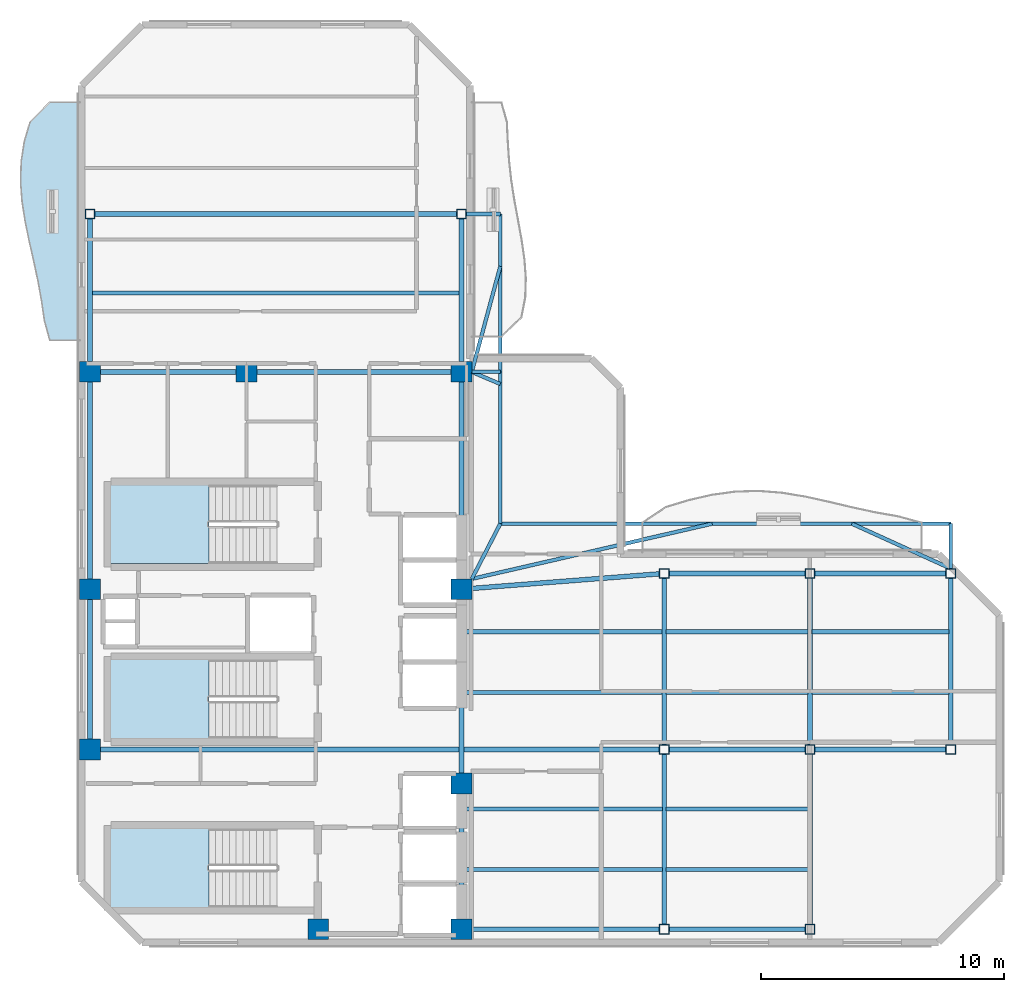
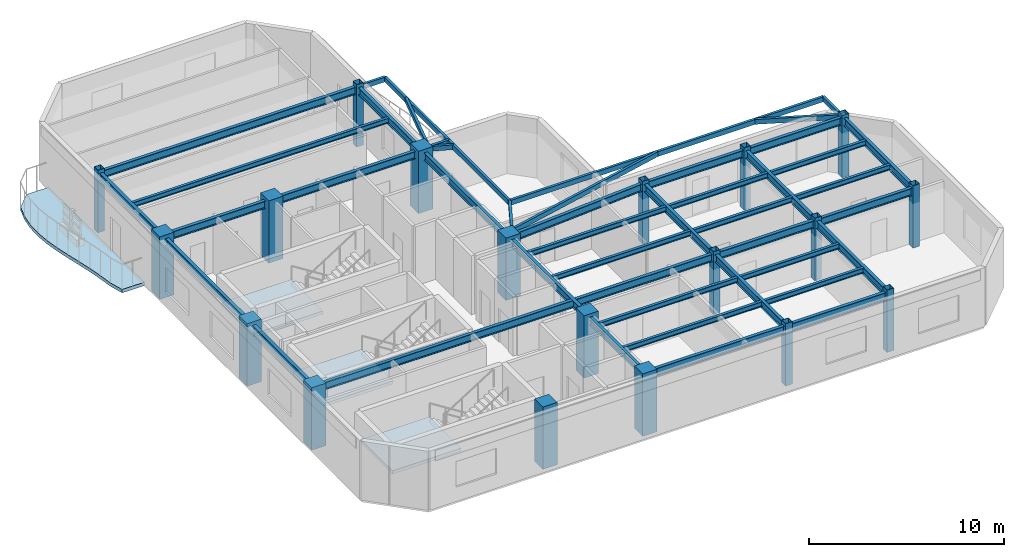
# One storey, part 1 of 8: 45 beams, 19 columns, 4 slabs, 3 elements without a shape of their own.
"""IFC4 building model written with IfcOpenShell, lengths in metres."""

from ifc_helpers import new_model, si_unit, direction, frame, origin, origin_2d, place, context, subcontext, project, spatial, polyline, rectangle, hollow_rectangle, i_section, outline, extrude, material, layer, layer_set, material_profile, profile_set, type_object, element, aggregate, save


model = new_model("IFC4")

# Units and contexts
model_context = context("Model", 3, precision=1e-05, world=origin(), true_north=direction((0.0, 1.0)))
body_context = subcontext(model_context, "Body", "Model", "MODEL_VIEW")
ifc_project = project(units=[si_unit("LENGTHUNIT", "METRE"), si_unit("AREAUNIT", "SQUARE_METRE"), si_unit("VOLUMEUNIT", "CUBIC_METRE"), si_unit("PLANEANGLEUNIT", "RADIAN"), si_unit("MASSUNIT", "GRAM", prefix="KILO")], contexts=[model_context])

# Site, building, storey
site_placement = place(None, origin())
site = spatial("IfcSite", under=ifc_project, at=site_placement, CompositionType="ELEMENT")
building_placement = place(site_placement, origin())
building = spatial("IfcBuilding", under=site, at=building_placement, Name="Mawjaban Terraces University", CompositionType="ELEMENT")
storey_placement = place(building_placement, frame((0.0, 0.0, 263.800048828125)))
storey = spatial("IfcBuildingStorey", under=building, at=storey_placement, Name="L64", CompositionType="ELEMENT", Elevation=263.800048828125)

# Columns
ifc_material_1 = material(Name="Concrete C50/60", Category="concrete")
ifc_material_profile_1 = material_profile(ifc_material_1, rectangle(XDim=0.85009765625, YDim=0.85009765625, at=origin_2d()), Name="RC850X850")
ifc_profile_set_1 = profile_set([ifc_material_profile_1], Name="Concrete C50/60")
column_type_1 = type_object("IfcColumnType", Name="Col_RC850X850", PredefinedType="COLUMN", material=ifc_profile_set_1)
for number, where, z_axis, x_axis, name in (
    (1, (31.75, 0.550048828125, 0.0), (0.0, 0.0, 1.0), (1.0, 0.0, 0.0), "L64 Column CC2"),
    (2, (37.64990234375, 0.550048828125, 0.0), (0.0, 0.0, 1.0), (1.0, 0.0, 0.0), "L64 Column CC3"),
    (3, (22.35009765625, 7.949951171875, 0.0), (0.0, 0.0, 1.0), (1.0, 0.0, 0.0), "L64 Column CC4"),
    (4, (37.64990234375, 6.550048828125, 0.0), (0.0, 0.0, 1.0), (1.0, 0.0, 0.0), "L64 Column CC5"),
    (5, (22.35009765625, 14.550048828125, 0.0), (0.0, 0.0, 1.0), (1.0, 0.0, 0.0), "L64 Column CC6"),
    (6, (37.64990234375, 14.550048828125, 0.0), (0.0, 0.0, 1.0), (1.0, 0.0, 0.0), "L64 Column CC7"),
    (7, (22.35009765625, 23.5, 0.0), (0.0, 0.0, 1.0), (1.0, 0.0, 0.0), "L64 Column CC8"),
    (8, (28.800048828125, 23.5, 0.0), (0.0, 0.0, 1.0), (1.0, 0.0, 0.0), "L64 Column CC9"),
    (9, (37.64990234375, 23.5, 0.0), (0.0, 0.0, 1.0), (1.0, 0.0, 0.0), "L64 Column CC10"),
):
    element("IfcColumn", number, at=place(storey_placement, frame(where, z_axis=z_axis, x_axis=x_axis)), inside=storey, type_object=column_type_1, Name=name, PredefinedType="COLUMN", context=body_context, shape_type="SweptSolid", body=[
        extrude(rectangle(XDim=0.85009765625, YDim=0.85009765625, at=origin_2d()), origin(), (0.0, 0.0, 1.0), 3.89990234375),
    ])
ifc_material_2 = material(Name="Steel EN 10210-1 S355J2H", Category="steel")
ifc_material_profile_2 = material_profile(ifc_material_2, hollow_rectangle(XDim=0.39990234375, YDim=0.39990234375, WallThickness=0.02001953125, at=origin_2d()), Name="SHS400X400X20")
ifc_profile_set_2 = profile_set([ifc_material_profile_2], Name="Steel EN 10210-1 S355J2H")
column_type_2 = type_object("IfcColumnType", Name="Col_SHS400X400X20", PredefinedType="COLUMN", material=ifc_profile_set_2)
for number, where, z_axis, x_axis, name in (
    (10, (46.0, 0.550048828125, 0.0), (0.0, 0.0, 1.0), (1.0, 0.0, 0.0), "L64 Column TE-460-005"),
    (11, (46.0, 7.949951171875, 0.0), (0.0, 0.0, 1.0), (1.0, 0.0, 0.0), "L64 Column TE-460-080"),
    (12, (46.0, 15.199951171875, 0.0), (0.0, 0.0, 1.0), (1.0, 0.0, 0.0), "L64 Column TE-460-152"),
    (13, (52.0, 0.550048828125, 0.0), (0.0, 0.0, 1.0), (1.0, 0.0, 0.0), "L64 Column TE-520-005"),
    (14, (52.0, 7.949951171875, 0.0), (0.0, 0.0, 1.0), (1.0, 0.0, 0.0), "L64 Column TE-520-080"),
    (15, (52.0, 15.199951171875, 0.0), (0.0, 0.0, 1.0), (1.0, 0.0, 0.0), "L64 Column TE-520-152"),
    (16, (57.800048828125, 7.949951171875, 0.0), (0.0, 0.0, 1.0), (1.0, 0.0, 0.0), "L64 Column TE-578-080"),
    (17, (57.800048828125, 15.199951171875, 0.0), (0.0, 0.0, 1.0), (1.0, 0.0, 0.0), "L64 Column TE-578-152"),
    (18, (22.35009765625, 30.0, 0.0), (0.0, 0.0, 1.0), (1.0, 0.0, 0.0), "L64 Column TN-223-300"),
    (19, (37.64990234375, 30.0, 0.0), (0.0, 0.0, 1.0), (1.0, 0.0, 0.0), "L64 Column TN-376-300"),
):
    element("IfcColumn", number, at=place(storey_placement, frame(where, z_axis=z_axis, x_axis=x_axis)), inside=storey, type_object=column_type_2, Name=name, PredefinedType="COLUMN", context=body_context, shape_type="SweptSolid", body=[
        extrude(hollow_rectangle(XDim=0.39990234375, YDim=0.39990234375, WallThickness=0.02001953125, at=origin_2d()), origin(), (0.0, 0.0, 1.0), 3.89990234375),
    ])

# Beams
ifc_material_profile_3 = material_profile(ifc_material_2, hollow_rectangle(XDim=0.14990234375, YDim=0.300048828125, WallThickness=0.012451171875, at=origin_2d()), Name="RHS300X150X12.5")
ifc_profile_set_3 = profile_set([ifc_material_profile_3], Name="Steel EN 10210-1 S355J2H")
beam_type_1 = type_object("IfcBeamType", Name="BalconyCantileverSpandrel_RHS", PredefinedType="SPANDREL", material=ifc_profile_set_3)
beam_1_placement = place(storey_placement, frame((38.074951171875, 14.97509765625, 3.5400390625), z_axis=(0.458922210771, 0.88847645127, 0.0), x_axis=(-0.88847645127, 0.458922210771, 0.0)))
element("IfcBeam", 20, at=beam_1_placement, inside=storey, type_object=beam_type_1, Name="L64 Corner Outrigger BAL-L65-N", PredefinedType="SPANDREL", context=body_context, shape_type="SweptSolid", body=[
    extrude(hollow_rectangle(XDim=0.14990234375, YDim=0.300048828125, WallThickness=0.012451171875, at=origin_2d()), origin(), (0.0, 0.0, 1.0), 2.560546875),
])
beam_2_placement = place(storey_placement, frame((57.800048828125, 15.39990234375, 3.5400390625), z_axis=(0.0, 1.0, 0.0), x_axis=(-1.0, 0.0, 0.0)))
element("IfcBeam", 21, at=beam_2_placement, inside=storey, type_object=beam_type_1, Name="L64 Exterior Outrigger BAL-L65-N.2", PredefinedType="SPANDREL", context=body_context, shape_type="SweptSolid", body=[
    extrude(hollow_rectangle(XDim=0.14990234375, YDim=0.300048828125, WallThickness=0.012451171875, at=origin_2d()), origin(), (0.0, 0.0, 1.0), 1.85009765625),
])
beam_3_placement = place(storey_placement, frame((39.25, 17.25, 3.5400390625), z_axis=(1.0, 0.0, 0.0), x_axis=(0.0, 1.0, 0.0)))
element("IfcBeam", 22, at=beam_3_placement, inside=storey, type_object=beam_type_1, Name="L64 Exterior Edge Spandrel BAL-L65-N", PredefinedType="SPANDREL", context=body_context, shape_type="SweptSolid", body=[
    extrude(hollow_rectangle(XDim=0.14990234375, YDim=0.300048828125, WallThickness=0.012451171875, at=origin_2d()), origin(), (0.0, 0.0, 1.0), 18.550048828125),
])
beam_4_placement = place(storey_placement, frame((38.074951171875, 14.97509765625, 3.5400390625), z_axis=(0.974600999447, 0.223948413426, 0.0), x_axis=(-0.223948413426, 0.974600999447, 0.0)))
element("IfcBeam", 23, at=beam_4_placement, inside=storey, type_object=beam_type_1, Name="L64 Exterior Diagonal Strut BAL-L65-N.1", PredefinedType="SPANDREL", context=body_context, shape_type="SweptSolid", body=[
    extrude(hollow_rectangle(XDim=0.14990234375, YDim=0.300048828125, WallThickness=0.012451171875, at=origin_2d()), origin(), (0.0, 0.0, 1.0), 10.158203125),
])
beam_5_placement = place(storey_placement, frame((57.800048828125, 15.39990234375, 3.5400390625), z_axis=(-0.910547611438, 0.413404217811, 0.0), x_axis=(-0.413404217811, -0.910547611438, 0.0)))
element("IfcBeam", 24, at=beam_5_placement, inside=storey, type_object=beam_type_1, Name="L64 Exterior Diagonal Strut BAL-L65-N.2", PredefinedType="SPANDREL", context=body_context, shape_type="SweptSolid", body=[
    extrude(hollow_rectangle(XDim=0.14990234375, YDim=0.300048828125, WallThickness=0.012451171875, at=origin_2d()), origin(), (0.0, 0.0, 1.0), 4.475341796875),
])
beam_6_placement = place(storey_placement, frame((38.074951171875, 23.5, 3.5400390625), z_axis=(1.0, 0.0, 0.0), x_axis=(0.0, 1.0, 0.0)))
element("IfcBeam", 25, at=beam_6_placement, inside=storey, type_object=beam_type_1, Name="L64 Exterior Outrigger BAL-L65-E.1", PredefinedType="SPANDREL", context=body_context, shape_type="SweptSolid", body=[
    extrude(hollow_rectangle(XDim=0.14990234375, YDim=0.300048828125, WallThickness=0.012451171875, at=origin_2d()), origin(), (0.0, 0.0, 1.0), 1.175048828125),
])
beam_7_placement = place(storey_placement, frame((37.85009765625, 30.0, 3.5400390625), z_axis=(1.0, 0.0, 0.0), x_axis=(0.0, 1.0, 0.0)))
element("IfcBeam", 26, at=beam_7_placement, inside=storey, type_object=beam_type_1, Name="L64 Exterior Outrigger BAL-L65-E.2", PredefinedType="SPANDREL", context=body_context, shape_type="SweptSolid", body=[
    extrude(hollow_rectangle(XDim=0.14990234375, YDim=0.300048828125, WallThickness=0.012451171875, at=origin_2d()), origin(), (0.0, 0.0, 1.0), 1.39990234375),
])
beam_8_placement = place(storey_placement, frame((39.25, 23.5, 3.5400390625), z_axis=(0.0, 1.0, 0.0), x_axis=(-1.0, 0.0, 0.0)))
element("IfcBeam", 27, at=beam_8_placement, inside=storey, type_object=beam_type_1, Name="L64 Exterior Edge Spandrel BAL-L65-E", PredefinedType="SPANDREL", context=body_context, shape_type="SweptSolid", body=[
    extrude(hollow_rectangle(XDim=0.14990234375, YDim=0.300048828125, WallThickness=0.012451171875, at=origin_2d()), origin(), (0.0, 0.0, 1.0), 6.5),
])
beam_9_placement = place(storey_placement, frame((38.074951171875, 23.5, 3.5400390625), z_axis=(0.261060667061, 0.965322395945, 0.0), x_axis=(-0.965322395945, 0.261060667061, 0.0)))
element("IfcBeam", 28, at=beam_9_placement, inside=storey, type_object=beam_type_1, Name="L64 Exterior Diagonal Strut BAL-L65-E.1", PredefinedType="SPANDREL", context=body_context, shape_type="SweptSolid", body=[
    extrude(hollow_rectangle(XDim=0.14990234375, YDim=0.300048828125, WallThickness=0.012451171875, at=origin_2d()), origin(), (0.0, 0.0, 1.0), 4.5009765625),
])
beam_10_placement = place(storey_placement, frame((39.25, 17.25, 3.5400390625), z_axis=(0.0, 1.0, 0.0), x_axis=(-1.0, 0.0, 0.0)))
element("IfcBeam", 29, at=beam_10_placement, inside=storey, type_object=beam_type_1, Name="L64 Exterior Edge Spandrel TER-L65-CLIMB", PredefinedType="SPANDREL", context=body_context, shape_type="SweptSolid", body=[
    extrude(hollow_rectangle(XDim=0.14990234375, YDim=0.300048828125, WallThickness=0.012451171875, at=origin_2d()), origin(), (0.0, 0.0, 1.0), 6.25),
])
beam_11_placement = place(storey_placement, frame((38.074951171875, 23.5, 3.5400390625), z_axis=(0.920160497766, -0.391541387788, 0.0), x_axis=(0.391541387788, 0.920160497766, 0.0)))
element("IfcBeam", 30, at=beam_11_placement, inside=storey, type_object=beam_type_1, Name="L64 Exterior Diagonal Strut TER-L65-CLIMB.1", PredefinedType="SPANDREL", context=body_context, shape_type="SweptSolid", body=[
    extrude(hollow_rectangle(XDim=0.14990234375, YDim=0.300048828125, WallThickness=0.012451171875, at=origin_2d()), origin(), (0.0, 0.0, 1.0), 1.277099609375),
])
ifc_material_3 = material(Name="Steel ASTM A572 Grade 50", Category="steel")
ifc_material_profile_4 = material_profile(ifc_material_3, i_section(OverallWidth=0.194091796875, OverallDepth=0.468994140625, WebThickness=0.011474609375, FlangeThickness=0.0205078125, at=origin_2d()), Name="W460X106")
ifc_profile_set_4 = profile_set([ifc_material_profile_4], Name="Steel ASTM A572 Grade 50")
beam_type_2 = type_object("IfcBeamType", Name="Beam_B_W460X106", PredefinedType="BEAM", material=ifc_profile_set_4)
beam_12_placement = place(storey_placement, frame((38.074951171875, 0.550048828125, 3.454833984375), z_axis=(1.0, 0.0, 0.0), x_axis=(0.0, 1.0, 0.0)))
element("IfcBeam", 31, at=beam_12_placement, inside=storey, type_object=beam_type_2, Name="L64 Beam BM-L64-EW-01", PredefinedType="BEAM", context=body_context, shape_type="SweptSolid", body=[
    extrude(i_section(OverallWidth=0.194091796875, OverallDepth=0.468994140625, WebThickness=0.011474609375, FlangeThickness=0.0205078125, at=origin_2d()), origin(), (0.0, 0.0, 1.0), 7.72509765625),
])
beam_13_placement = place(storey_placement, frame((46.199951171875, 0.550048828125, 3.454833984375), z_axis=(1.0, 0.0, 0.0), x_axis=(0.0, 1.0, 0.0)))
element("IfcBeam", 32, at=beam_13_placement, inside=storey, type_object=beam_type_2, Name="L64 Beam BM-L64-EW-02", PredefinedType="BEAM", context=body_context, shape_type="SweptSolid", body=[
    extrude(i_section(OverallWidth=0.194091796875, OverallDepth=0.468994140625, WebThickness=0.011474609375, FlangeThickness=0.0205078125, at=origin_2d()), origin(), (0.0, 0.0, 1.0), 5.60009765625),
])
beam_14_placement = place(storey_placement, frame((22.77490234375, 7.949951171875, 3.454833984375), z_axis=(1.0, 0.0, 0.0), x_axis=(0.0, 1.0, 0.0)))
element("IfcBeam", 33, at=beam_14_placement, inside=storey, type_object=beam_type_2, Name="L64 Beam BM-L64-EW-03", PredefinedType="BEAM", context=body_context, shape_type="SweptSolid", body=[
    extrude(i_section(OverallWidth=0.194091796875, OverallDepth=0.468994140625, WebThickness=0.011474609375, FlangeThickness=0.0205078125, at=origin_2d()), origin(), (0.0, 0.0, 1.0), 23.025146484375),
])
beam_15_placement = place(storey_placement, frame((46.199951171875, 7.949951171875, 3.454833984375), z_axis=(1.0, 0.0, 0.0), x_axis=(0.0, 1.0, 0.0)))
element("IfcBeam", 34, at=beam_15_placement, inside=storey, type_object=beam_type_2, Name="L64 Beam BM-L64-EW-04", PredefinedType="BEAM", context=body_context, shape_type="SweptSolid", body=[
    extrude(i_section(OverallWidth=0.194091796875, OverallDepth=0.468994140625, WebThickness=0.011474609375, FlangeThickness=0.0205078125, at=origin_2d()), origin(), (0.0, 0.0, 1.0), 5.60009765625),
])
beam_16_placement = place(storey_placement, frame((52.199951171875, 7.949951171875, 3.454833984375), z_axis=(1.0, 0.0, 0.0), x_axis=(0.0, 1.0, 0.0)))
element("IfcBeam", 35, at=beam_16_placement, inside=storey, type_object=beam_type_2, Name="L64 Beam BM-L64-EW-05", PredefinedType="BEAM", context=body_context, shape_type="SweptSolid", body=[
    extrude(i_section(OverallWidth=0.194091796875, OverallDepth=0.468994140625, WebThickness=0.011474609375, FlangeThickness=0.0205078125, at=origin_2d()), origin(), (0.0, 0.0, 1.0), 5.400146484375),
])
beam_17_placement = place(storey_placement, frame((46.199951171875, 15.199951171875, 3.454833984375), z_axis=(1.0, 0.0, 0.0), x_axis=(0.0, 1.0, 0.0)))
element("IfcBeam", 36, at=beam_17_placement, inside=storey, type_object=beam_type_2, Name="L64 Beam BM-L64-EW-06", PredefinedType="BEAM", context=body_context, shape_type="SweptSolid", body=[
    extrude(i_section(OverallWidth=0.194091796875, OverallDepth=0.468994140625, WebThickness=0.011474609375, FlangeThickness=0.0205078125, at=origin_2d()), origin(), (0.0, 0.0, 1.0), 5.60009765625),
])
beam_18_placement = place(storey_placement, frame((52.199951171875, 15.199951171875, 3.454833984375), z_axis=(1.0, 0.0, 0.0), x_axis=(0.0, 1.0, 0.0)))
element("IfcBeam", 37, at=beam_18_placement, inside=storey, type_object=beam_type_2, Name="L64 Beam BM-L64-EW-07", PredefinedType="BEAM", context=body_context, shape_type="SweptSolid", body=[
    extrude(i_section(OverallWidth=0.194091796875, OverallDepth=0.468994140625, WebThickness=0.011474609375, FlangeThickness=0.0205078125, at=origin_2d()), origin(), (0.0, 0.0, 1.0), 5.400146484375),
])
beam_19_placement = place(storey_placement, frame((22.77490234375, 23.5, 3.454833984375), z_axis=(1.0, 0.0, 0.0), x_axis=(0.0, 1.0, 0.0)))
element("IfcBeam", 38, at=beam_19_placement, inside=storey, type_object=beam_type_2, Name="L64 Beam BM-L64-EW-08", PredefinedType="BEAM", context=body_context, shape_type="SweptSolid", body=[
    extrude(i_section(OverallWidth=0.194091796875, OverallDepth=0.468994140625, WebThickness=0.011474609375, FlangeThickness=0.0205078125, at=origin_2d()), origin(), (0.0, 0.0, 1.0), 5.60009765625),
])
beam_20_placement = place(storey_placement, frame((29.22509765625, 23.5, 3.454833984375), z_axis=(1.0, 0.0, 0.0), x_axis=(0.0, 1.0, 0.0)))
element("IfcBeam", 39, at=beam_20_placement, inside=storey, type_object=beam_type_2, Name="L64 Beam BM-L64-EW-09", PredefinedType="BEAM", context=body_context, shape_type="SweptSolid", body=[
    extrude(i_section(OverallWidth=0.194091796875, OverallDepth=0.468994140625, WebThickness=0.011474609375, FlangeThickness=0.0205078125, at=origin_2d()), origin(), (0.0, 0.0, 1.0), 8.0),
])
beam_21_placement = place(storey_placement, frame((22.550048828125, 30.0, 3.454833984375), z_axis=(1.0, 0.0, 0.0), x_axis=(0.0, 1.0, 0.0)))
element("IfcBeam", 40, at=beam_21_placement, inside=storey, type_object=beam_type_2, Name="L64 Beam BM-L64-EW-10", PredefinedType="BEAM", context=body_context, shape_type="SweptSolid", body=[
    extrude(i_section(OverallWidth=0.194091796875, OverallDepth=0.468994140625, WebThickness=0.011474609375, FlangeThickness=0.0205078125, at=origin_2d()), origin(), (0.0, 0.0, 1.0), 14.89990234375),
])
beam_22_placement = place(storey_placement, frame((22.35009765625, 8.375, 3.454833984375), z_axis=(0.0, 1.0, 0.0), x_axis=(-1.0, 0.0, 0.0)))
element("IfcBeam", 41, at=beam_22_placement, inside=storey, type_object=beam_type_2, Name="L64 Beam BM-L64-NS-01", PredefinedType="BEAM", context=body_context, shape_type="SweptSolid", body=[
    extrude(i_section(OverallWidth=0.194091796875, OverallDepth=0.468994140625, WebThickness=0.011474609375, FlangeThickness=0.0205078125, at=origin_2d()), origin(), (0.0, 0.0, 1.0), 5.75),
])
beam_23_placement = place(storey_placement, frame((22.35009765625, 14.97509765625, 3.454833984375), z_axis=(0.0, 1.0, 0.0), x_axis=(-1.0, 0.0, 0.0)))
element("IfcBeam", 42, at=beam_23_placement, inside=storey, type_object=beam_type_2, Name="L64 Beam BM-L64-NS-02", PredefinedType="BEAM", context=body_context, shape_type="SweptSolid", body=[
    extrude(i_section(OverallWidth=0.194091796875, OverallDepth=0.468994140625, WebThickness=0.011474609375, FlangeThickness=0.0205078125, at=origin_2d()), origin(), (0.0, 0.0, 1.0), 8.099853515625),
])
beam_24_placement = place(storey_placement, frame((22.35009765625, 23.925048828125, 3.454833984375), z_axis=(0.0, 1.0, 0.0), x_axis=(-1.0, 0.0, 0.0)))
element("IfcBeam", 43, at=beam_24_placement, inside=storey, type_object=beam_type_2, Name="L64 Beam BM-L64-NS-03", PredefinedType="BEAM", context=body_context, shape_type="SweptSolid", body=[
    extrude(i_section(OverallWidth=0.194091796875, OverallDepth=0.468994140625, WebThickness=0.011474609375, FlangeThickness=0.0205078125, at=origin_2d()), origin(), (0.0, 0.0, 1.0), 5.875),
])
beam_25_placement = place(storey_placement, frame((37.64990234375, 0.97509765625, 3.454833984375), z_axis=(0.0, 1.0, 0.0), x_axis=(-1.0, 0.0, 0.0)))
element("IfcBeam", 44, at=beam_25_placement, inside=storey, type_object=beam_type_2, Name="L64 Beam BM-L64-NS-04", PredefinedType="BEAM", context=body_context, shape_type="SweptSolid", body=[
    extrude(i_section(OverallWidth=0.194091796875, OverallDepth=0.468994140625, WebThickness=0.011474609375, FlangeThickness=0.0205078125, at=origin_2d()), origin(), (0.0, 0.0, 1.0), 5.14990234375),
])
beam_26_placement = place(storey_placement, frame((37.64990234375, 6.97509765625, 3.454833984375), z_axis=(0.0, 1.0, 0.0), x_axis=(-1.0, 0.0, 0.0)))
element("IfcBeam", 45, at=beam_26_placement, inside=storey, type_object=beam_type_2, Name="L64 Beam BM-L64-NS-05", PredefinedType="BEAM", context=body_context, shape_type="SweptSolid", body=[
    extrude(i_section(OverallWidth=0.194091796875, OverallDepth=0.468994140625, WebThickness=0.011474609375, FlangeThickness=0.0205078125, at=origin_2d()), origin(), (0.0, 0.0, 1.0), 7.14990234375),
])
beam_27_placement = place(storey_placement, frame((37.64990234375, 14.97509765625, 3.454833984375), z_axis=(0.0, 1.0, 0.0), x_axis=(-1.0, 0.0, 0.0)))
element("IfcBeam", 46, at=beam_27_placement, inside=storey, type_object=beam_type_2, Name="L64 Beam BM-L64-NS-06", PredefinedType="BEAM", context=body_context, shape_type="SweptSolid", body=[
    extrude(i_section(OverallWidth=0.194091796875, OverallDepth=0.468994140625, WebThickness=0.011474609375, FlangeThickness=0.0205078125, at=origin_2d()), origin(), (0.0, 0.0, 1.0), 8.099853515625),
])
beam_28_placement = place(storey_placement, frame((37.64990234375, 23.925048828125, 3.454833984375), z_axis=(0.0, 1.0, 0.0), x_axis=(-1.0, 0.0, 0.0)))
element("IfcBeam", 47, at=beam_28_placement, inside=storey, type_object=beam_type_2, Name="L64 Beam BM-L64-NS-07", PredefinedType="BEAM", context=body_context, shape_type="SweptSolid", body=[
    extrude(i_section(OverallWidth=0.194091796875, OverallDepth=0.468994140625, WebThickness=0.011474609375, FlangeThickness=0.0205078125, at=origin_2d()), origin(), (0.0, 0.0, 1.0), 5.875),
])
beam_29_placement = place(storey_placement, frame((46.0, 0.75, 3.454833984375), z_axis=(0.0, 1.0, 0.0), x_axis=(-1.0, 0.0, 0.0)))
element("IfcBeam", 48, at=beam_29_placement, inside=storey, type_object=beam_type_2, Name="L64 Beam BM-L64-NS-08", PredefinedType="BEAM", context=body_context, shape_type="SweptSolid", body=[
    extrude(i_section(OverallWidth=0.194091796875, OverallDepth=0.468994140625, WebThickness=0.011474609375, FlangeThickness=0.0205078125, at=origin_2d()), origin(), (0.0, 0.0, 1.0), 7.0),
])
beam_30_placement = place(storey_placement, frame((46.0, 8.14990234375, 3.454833984375), z_axis=(0.0, 1.0, 0.0), x_axis=(-1.0, 0.0, 0.0)))
element("IfcBeam", 49, at=beam_30_placement, inside=storey, type_object=beam_type_2, Name="L64 Beam BM-L64-NS-09", PredefinedType="BEAM", context=body_context, shape_type="SweptSolid", body=[
    extrude(i_section(OverallWidth=0.194091796875, OverallDepth=0.468994140625, WebThickness=0.011474609375, FlangeThickness=0.0205078125, at=origin_2d()), origin(), (0.0, 0.0, 1.0), 6.85009765625),
])
beam_31_placement = place(storey_placement, frame((52.0, 0.75, 3.454833984375), z_axis=(0.0, 1.0, 0.0), x_axis=(-1.0, 0.0, 0.0)))
element("IfcBeam", 50, at=beam_31_placement, inside=storey, type_object=beam_type_2, Name="L64 Beam BM-L64-NS-10", PredefinedType="BEAM", context=body_context, shape_type="SweptSolid", body=[
    extrude(i_section(OverallWidth=0.194091796875, OverallDepth=0.468994140625, WebThickness=0.011474609375, FlangeThickness=0.0205078125, at=origin_2d()), origin(), (0.0, 0.0, 1.0), 7.0),
])
for number, where, z_axis, x_axis, name in (
    (51, (52.0, 8.14990234375, 3.454833984375), (0.0, 1.0, 0.0), (-1.0, 0.0, 0.0), "L64 Beam BM-L64-NS-11"),
    (52, (57.800048828125, 8.14990234375, 3.454833984375), (0.0, 1.0, 0.0), (-1.0, 0.0, 0.0), "L64 Beam BM-L64-NS-12"),
):
    element("IfcBeam", number, at=place(storey_placement, frame(where, z_axis=z_axis, x_axis=x_axis)), inside=storey, type_object=beam_type_2, Name=name, PredefinedType="BEAM", context=body_context, shape_type="SweptSolid", body=[
        extrude(i_section(OverallWidth=0.194091796875, OverallDepth=0.468994140625, WebThickness=0.011474609375, FlangeThickness=0.0205078125, at=origin_2d()), origin(), (0.0, 0.0, 1.0), 6.85009765625),
    ])
beam_32_placement = place(storey_placement, frame((38.073974609375, 14.5830078125, 3.454833984375), z_axis=(0.996988151141, 0.077554023005, 0.0), x_axis=(-0.077554023005, 0.996988151141, 0.0)))
element("IfcBeam", 53, at=beam_32_placement, inside=storey, type_object=beam_type_2, Name="L64 Beam BM-L64-CTIE", PredefinedType="BEAM", context=body_context, shape_type="SweptSolid", body=[
    extrude(i_section(OverallWidth=0.194091796875, OverallDepth=0.468994140625, WebThickness=0.011474609375, FlangeThickness=0.0205078125, at=origin_2d()), origin(), (0.0, 0.0, 1.0), 7.75048828125),
])
ifc_material_profile_5 = material_profile(ifc_material_3, i_section(OverallWidth=0.1669921875, OverallDepth=0.318115234375, WebThickness=0.007568359375, FlangeThickness=0.01318359375, at=origin_2d()), Name="W310X52")
ifc_profile_set_5 = profile_set([ifc_material_profile_5], Name="Steel ASTM A572 Grade 50")
beam_type_3 = type_object("IfcBeamType", Name="Beam_J_W310X52", PredefinedType="JOIST", material=ifc_profile_set_5)
beam_33_placement = place(storey_placement, frame((37.72998046875, 3.0, 3.531005859375), z_axis=(1.0, 0.0, 0.0), x_axis=(0.0, 1.0, 0.0)))
element("IfcBeam", 54, at=beam_33_placement, inside=storey, type_object=beam_type_3, Name="L64 Composite Joist JST-L64-01", PredefinedType="JOIST", context=body_context, shape_type="SweptSolid", body=[
    extrude(i_section(OverallWidth=0.1669921875, OverallDepth=0.318115234375, WebThickness=0.007568359375, FlangeThickness=0.01318359375, at=origin_2d()), origin(), (0.0, 0.0, 1.0), 8.18994140625),
])
beam_34_placement = place(storey_placement, frame((46.080078125, 3.0, 3.531005859375), z_axis=(1.0, 0.0, 0.0), x_axis=(0.0, 1.0, 0.0)))
element("IfcBeam", 55, at=beam_34_placement, inside=storey, type_object=beam_type_3, Name="L64 Composite Joist JST-L64-02", PredefinedType="JOIST", context=body_context, shape_type="SweptSolid", body=[
    extrude(i_section(OverallWidth=0.1669921875, OverallDepth=0.318115234375, WebThickness=0.007568359375, FlangeThickness=0.01318359375, at=origin_2d()), origin(), (0.0, 0.0, 1.0), 5.83984375),
])
beam_35_placement = place(storey_placement, frame((37.72998046875, 5.5, 3.531005859375), z_axis=(1.0, 0.0, 0.0), x_axis=(0.0, 1.0, 0.0)))
element("IfcBeam", 56, at=beam_35_placement, inside=storey, type_object=beam_type_3, Name="L64 Composite Joist JST-L64-03", PredefinedType="JOIST", context=body_context, shape_type="SweptSolid", body=[
    extrude(i_section(OverallWidth=0.1669921875, OverallDepth=0.318115234375, WebThickness=0.007568359375, FlangeThickness=0.01318359375, at=origin_2d()), origin(), (0.0, 0.0, 1.0), 8.18994140625),
])
beam_36_placement = place(storey_placement, frame((46.080078125, 5.5, 3.531005859375), z_axis=(1.0, 0.0, 0.0), x_axis=(0.0, 1.0, 0.0)))
element("IfcBeam", 57, at=beam_36_placement, inside=storey, type_object=beam_type_3, Name="L64 Composite Joist JST-L64-04", PredefinedType="JOIST", context=body_context, shape_type="SweptSolid", body=[
    extrude(i_section(OverallWidth=0.1669921875, OverallDepth=0.318115234375, WebThickness=0.007568359375, FlangeThickness=0.01318359375, at=origin_2d()), origin(), (0.0, 0.0, 1.0), 5.83984375),
])
beam_37_placement = place(storey_placement, frame((37.72998046875, 10.300048828125, 3.531005859375), z_axis=(1.0, 0.0, 0.0), x_axis=(0.0, 1.0, 0.0)))
element("IfcBeam", 58, at=beam_37_placement, inside=storey, type_object=beam_type_3, Name="L64 Composite Joist JST-L64-05", PredefinedType="JOIST", context=body_context, shape_type="SweptSolid", body=[
    extrude(i_section(OverallWidth=0.1669921875, OverallDepth=0.318115234375, WebThickness=0.007568359375, FlangeThickness=0.01318359375, at=origin_2d()), origin(), (0.0, 0.0, 1.0), 8.18994140625),
])
beam_38_placement = place(storey_placement, frame((46.080078125, 10.300048828125, 3.531005859375), z_axis=(1.0, 0.0, 0.0), x_axis=(0.0, 1.0, 0.0)))
element("IfcBeam", 59, at=beam_38_placement, inside=storey, type_object=beam_type_3, Name="L64 Composite Joist JST-L64-06", PredefinedType="JOIST", context=body_context, shape_type="SweptSolid", body=[
    extrude(i_section(OverallWidth=0.1669921875, OverallDepth=0.318115234375, WebThickness=0.007568359375, FlangeThickness=0.01318359375, at=origin_2d()), origin(), (0.0, 0.0, 1.0), 5.83984375),
])
beam_39_placement = place(storey_placement, frame((52.080078125, 10.300048828125, 3.531005859375), z_axis=(1.0, 0.0, 0.0), x_axis=(0.0, 1.0, 0.0)))
element("IfcBeam", 60, at=beam_39_placement, inside=storey, type_object=beam_type_3, Name="L64 Composite Joist JST-L64-07", PredefinedType="JOIST", context=body_context, shape_type="SweptSolid", body=[
    extrude(i_section(OverallWidth=0.1669921875, OverallDepth=0.318115234375, WebThickness=0.007568359375, FlangeThickness=0.01318359375, at=origin_2d()), origin(), (0.0, 0.0, 1.0), 5.639892578125),
])
beam_40_placement = place(storey_placement, frame((37.72998046875, 12.800048828125, 3.531005859375), z_axis=(1.0, 0.0, 0.0), x_axis=(0.0, 1.0, 0.0)))
element("IfcBeam", 61, at=beam_40_placement, inside=storey, type_object=beam_type_3, Name="L64 Composite Joist JST-L64-08", PredefinedType="JOIST", context=body_context, shape_type="SweptSolid", body=[
    extrude(i_section(OverallWidth=0.1669921875, OverallDepth=0.318115234375, WebThickness=0.007568359375, FlangeThickness=0.01318359375, at=origin_2d()), origin(), (0.0, 0.0, 1.0), 8.18994140625),
])
beam_41_placement = place(storey_placement, frame((46.080078125, 12.800048828125, 3.531005859375), z_axis=(1.0, 0.0, 0.0), x_axis=(0.0, 1.0, 0.0)))
element("IfcBeam", 62, at=beam_41_placement, inside=storey, type_object=beam_type_3, Name="L64 Composite Joist JST-L64-09", PredefinedType="JOIST", context=body_context, shape_type="SweptSolid", body=[
    extrude(i_section(OverallWidth=0.1669921875, OverallDepth=0.318115234375, WebThickness=0.007568359375, FlangeThickness=0.01318359375, at=origin_2d()), origin(), (0.0, 0.0, 1.0), 5.83984375),
])
beam_42_placement = place(storey_placement, frame((52.080078125, 12.800048828125, 3.531005859375), z_axis=(1.0, 0.0, 0.0), x_axis=(0.0, 1.0, 0.0)))
element("IfcBeam", 63, at=beam_42_placement, inside=storey, type_object=beam_type_3, Name="L64 Composite Joist JST-L64-10", PredefinedType="JOIST", context=body_context, shape_type="SweptSolid", body=[
    extrude(i_section(OverallWidth=0.1669921875, OverallDepth=0.318115234375, WebThickness=0.007568359375, FlangeThickness=0.01318359375, at=origin_2d()), origin(), (0.0, 0.0, 1.0), 5.639892578125),
])
beam_43_placement = place(storey_placement, frame((22.429931640625, 26.75, 3.531005859375), z_axis=(1.0, 0.0, 0.0), x_axis=(0.0, 1.0, 0.0)))
element("IfcBeam", 64, at=beam_43_placement, inside=storey, type_object=beam_type_3, Name="L64 Composite Joist JST-L64-11", PredefinedType="JOIST", context=body_context, shape_type="SweptSolid", body=[
    extrude(i_section(OverallWidth=0.1669921875, OverallDepth=0.318115234375, WebThickness=0.007568359375, FlangeThickness=0.01318359375, at=origin_2d()), origin(), (0.0, 0.0, 1.0), 15.14013671875),
])

# Slab
ifc_material_4 = material(Name="Concrete C40/50", Category="concrete")
ifc_layer_1 = layer(ifc_material_4, 0.2099609375)
ifc_layer_set_1 = layer_set([ifc_layer_1], Name="Concrete C40/50")
slab_type_1 = type_object("IfcSlabType", Name="BalconySlab_210_Ext", PredefinedType="FLOOR", material=ifc_layer_set_1)
slab_1_placement = place(storey_placement, frame((0.0, 0.0, -0.2099609375)))
element("IfcSlab", 65, at=slab_1_placement, inside=storey, type_object=slab_type_1, Name="L64 Planted Balcony Slab west", PredefinedType="FLOOR", context=body_context, shape_type="SweptSolid", body=[
    extrude(outline(polyline([(22.010009765625, 24.800048828125), (22.010009765625, 34.60009765625), (20.699951171875, 34.60009765625), (19.882080078125, 33.782958984375), (19.64208984375, 32.967041015625), (19.51904296875, 32.14990234375), (19.493896484375, 31.3330078125), (19.553955078125, 30.51708984375), (19.680908203125, 29.699951171875), (19.85009765625, 28.883056640625), (20.033935546875, 28.06689453125), (20.208984375, 27.25), (20.35595703125, 26.43310546875), (20.47412109375, 25.616943359375), (20.699951171875, 24.800048828125), (22.010009765625, 24.800048828125)])), origin(), (0.0, 0.0, 1.0), 0.2099609375),
])

# Stair, slab
stair_type = type_object("IfcStairType", Name="Stair_Core1550_H39", PredefinedType="HALF_TURN_STAIR", material=ifc_material_4)
stair_1_placement = place(storey_placement, origin())
stair_1 = element("IfcStair", 66, at=stair_1_placement, inside=storey, type_object=stair_type, Name="L64 Core Exit Stair 1", PredefinedType="HALF_TURN_STAIR")
ifc_layer_2 = layer(ifc_material_4, 0.199951171875)
ifc_layer_set_2 = layer_set([ifc_layer_2], Name="Concrete C40/50")
slab_type_2 = type_object("IfcSlabType", Name="StairLandingSlab_200", PredefinedType="LANDING", material=ifc_layer_set_2)
slab_2_placement = place(storey_placement, frame((0.0, 0.0, 1.75)))
slab_2 = element("IfcSlab", 67, at=slab_2_placement, type_object=slab_type_2, Name="ST-1 landing 1", PredefinedType="LANDING", context=body_context, shape_type="SweptSolid", body=[
    extrude(outline(polyline([(27.25, 4.699951171875), (23.199951171875, 4.699951171875), (23.199951171875, 1.449951171875), (27.25, 1.449951171875), (27.25, 4.699951171875)])), origin(), (0.0, 0.0, 1.0), 0.199951171875),
])
aggregate(stair_1, [slab_2])

stair_2_placement = place(storey_placement, origin())
stair_2 = element("IfcStair", 68, at=stair_2_placement, inside=storey, type_object=stair_type, Name="L64 Core Exit Stair 2", PredefinedType="HALF_TURN_STAIR")
slab_3_placement = place(storey_placement, frame((0.0, 0.0, 1.75)))
slab_3 = element("IfcSlab", 69, at=slab_3_placement, type_object=slab_type_2, Name="ST-2 landing 1", PredefinedType="LANDING", context=body_context, shape_type="SweptSolid", body=[
    extrude(outline(polyline([(27.25, 18.85009765625), (23.199951171875, 18.85009765625), (23.199951171875, 15.60009765625), (27.25, 15.60009765625), (27.25, 18.85009765625)])), origin(), (0.0, 0.0, 1.0), 0.199951171875),
])
aggregate(stair_2, [slab_3])

stair_3_placement = place(storey_placement, origin())
stair_3 = element("IfcStair", 70, at=stair_3_placement, inside=storey, type_object=stair_type, Name="L64 Core Exit Stair 3", PredefinedType="HALF_TURN_STAIR")
slab_4_placement = place(storey_placement, frame((0.0, 0.0, 1.75)))
slab_4 = element("IfcSlab", 71, at=slab_4_placement, type_object=slab_type_2, Name="ST-3 landing 1", PredefinedType="LANDING", context=body_context, shape_type="SweptSolid", body=[
    extrude(outline(polyline([(27.25, 11.64990234375), (23.199951171875, 11.64990234375), (23.199951171875, 8.39990234375), (27.25, 8.39990234375), (27.25, 11.64990234375)])), origin(), (0.0, 0.0, 1.0), 0.199951171875),
])
aggregate(stair_3, [slab_4])

save(model, "model.ifc")
